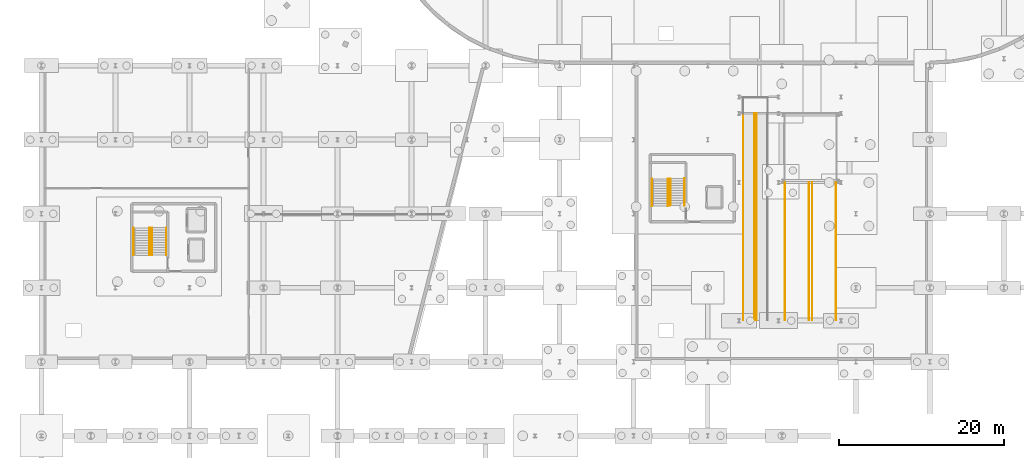
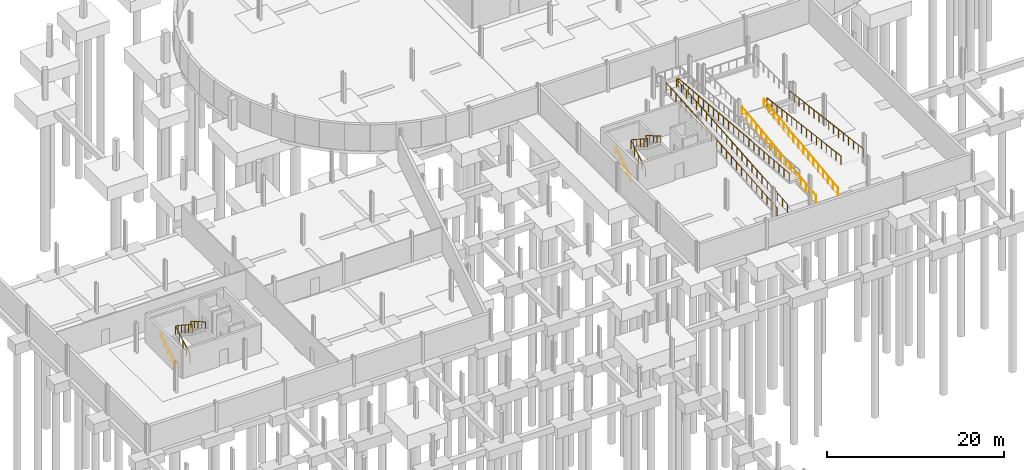
# One storey, part 40 of 42: 13 railings.
"""IFC4 building model written with IfcOpenShell, lengths in metres."""

from ifc_helpers import new_model, si_unit, direction, frame, origin, origin_2d, place, context, subcontext, project, spatial, circle, extrude, material, type_object, element, save


model = new_model("IFC4")

# Units and contexts
model_context = context("Model", 3, precision=1e-05, world=origin(), true_north=direction((0.0, 1.0)))
body_context = subcontext(model_context, "Body", "Model", "MODEL_VIEW")
ifc_project = project(units=[si_unit("LENGTHUNIT", "METRE"), si_unit("AREAUNIT", "SQUARE_METRE"), si_unit("VOLUMEUNIT", "CUBIC_METRE"), si_unit("PLANEANGLEUNIT", "RADIAN"), si_unit("MASSUNIT", "GRAM", prefix="KILO")], contexts=[model_context])

# Site, building, storey
site_placement = place(None, origin())
site = spatial("IfcSite", under=ifc_project, at=site_placement, CompositionType="ELEMENT")
building_placement = place(site_placement, origin())
building = spatial("IfcBuilding", under=site, at=building_placement, Name="Deido Ridge Mobility Hub", CompositionType="ELEMENT")
storey_placement = place(building_placement, frame((0.0, 0.0, -4.199951171875)))
storey = spatial("IfcBuildingStorey", under=building, at=storey_placement, Name="B1", CompositionType="ELEMENT", Elevation=-4.199951171875)

# Railings
ifc_material_1 = material(Name="Galvanised steel work", Category="steel")
railing_type_1 = type_object("IfcRailingType", Name="RL-GRD-EXT-1150", PredefinedType="GUARDRAIL", material=ifc_material_1)
railing_1_placement = place(storey_placement, frame((90.39990234375, 50.050048828125, 0.0)))
element("IfcRailing", 1, at=railing_1_placement, inside=storey, type_object=railing_type_1, Name="Vehicle ramp F1 guard (B1)", PredefinedType="GUARDRAIL", context=body_context, shape_type="SweptSolid", body=[
    extrude(circle(Radius=0.02392578125, at=origin_2d()), frame((0.0, 0.0, 1.1259765625), z_axis=(0.0, 0.992233313297, 0.12439072306), x_axis=(-1.0, 0.0, 0.0)), (0.0, 0.0, 1.0), 16.881103515625),
    extrude(circle(Radius=0.02099609375, at=origin_2d()), origin(), (0.0, 0.0, 1.0), 1.101806640625),
    extrude(circle(Radius=0.02099609375, at=origin_2d()), frame((0.0, 1.11669921875, 0.139892578125)), (0.0, 0.0, 1.0), 1.101806640625),
    extrude(circle(Radius=0.02099609375, at=origin_2d()), frame((0.0, 2.2333984375, 0.280029296875)), (0.0, 0.0, 1.0), 1.101806640625),
    extrude(circle(Radius=0.02099609375, at=origin_2d()), frame((0.0, 3.35009765625, 0.419921875)), (0.0, 0.0, 1.0), 1.101806640625),
    extrude(circle(Radius=0.02099609375, at=origin_2d()), frame((0.0, 4.466552734375, 0.56005859375)), (0.0, 0.0, 1.0), 1.101806640625),
    extrude(circle(Radius=0.02099609375, at=origin_2d()), frame((0.0, 5.583251953125, 0.699951171875)), (0.0, 0.0, 1.0), 1.101806640625),
    extrude(circle(Radius=0.02099609375, at=origin_2d()), frame((0.0, 6.699951171875, 0.83984375)), (0.0, 0.0, 1.0), 1.101806640625),
    extrude(circle(Radius=0.02099609375, at=origin_2d()), frame((0.0, 7.816650390625, 0.97998046875)), (0.0, 0.0, 1.0), 1.101806640625),
    extrude(circle(Radius=0.02099609375, at=origin_2d()), frame((0.0, 8.933349609375, 1.119873046875)), (0.0, 0.0, 1.0), 1.101806640625),
    extrude(circle(Radius=0.02099609375, at=origin_2d()), frame((0.0, 10.050048828125, 1.260009765625)), (0.0, 0.0, 1.0), 1.101806640625),
    extrude(circle(Radius=0.02099609375, at=origin_2d()), frame((0.0, 11.166748046875, 1.39990234375)), (0.0, 0.0, 1.0), 1.101806640625),
    extrude(circle(Radius=0.02099609375, at=origin_2d()), frame((0.0, 12.283447265625, 1.539794921875)), (0.0, 0.0, 1.0), 1.101806640625),
    extrude(circle(Radius=0.02099609375, at=origin_2d()), frame((0.0, 13.39990234375, 1.679931640625)), (0.0, 0.0, 1.0), 1.101806640625),
    extrude(circle(Radius=0.02099609375, at=origin_2d()), frame((0.0, 14.5166015625, 1.81982421875)), (0.0, 0.0, 1.0), 1.101806640625),
    extrude(circle(Radius=0.02099609375, at=origin_2d()), frame((0.0, 15.63330078125, 1.9599609375)), (0.0, 0.0, 1.0), 1.101806640625),
    extrude(circle(Radius=0.02099609375, at=origin_2d()), frame((0.0, 16.75, 2.099853515625)), (0.0, 0.0, 1.0), 1.101806640625),
])
railing_2_placement = place(storey_placement, frame((93.300048828125, 50.050048828125, 0.0)))
element("IfcRailing", 2, at=railing_2_placement, inside=storey, type_object=railing_type_1, Name="Vehicle ramp F1 guard (B1)", PredefinedType="GUARDRAIL", context=body_context, shape_type="SweptSolid", body=[
    extrude(circle(Radius=0.02392578125, at=origin_2d()), frame((0.0, 0.0, 1.1259765625), z_axis=(0.0, 0.992233313297, 0.12439072306), x_axis=(-1.0, 0.0, 0.0)), (0.0, 0.0, 1.0), 16.881103515625),
    extrude(circle(Radius=0.02099609375, at=origin_2d()), origin(), (0.0, 0.0, 1.0), 1.101806640625),
    extrude(circle(Radius=0.02099609375, at=origin_2d()), frame((0.0, 1.11669921875, 0.139892578125)), (0.0, 0.0, 1.0), 1.101806640625),
    extrude(circle(Radius=0.02099609375, at=origin_2d()), frame((0.0, 2.2333984375, 0.280029296875)), (0.0, 0.0, 1.0), 1.101806640625),
    extrude(circle(Radius=0.02099609375, at=origin_2d()), frame((0.0, 3.35009765625, 0.419921875)), (0.0, 0.0, 1.0), 1.101806640625),
    extrude(circle(Radius=0.02099609375, at=origin_2d()), frame((0.0, 4.466552734375, 0.56005859375)), (0.0, 0.0, 1.0), 1.101806640625),
    extrude(circle(Radius=0.02099609375, at=origin_2d()), frame((0.0, 5.583251953125, 0.699951171875)), (0.0, 0.0, 1.0), 1.101806640625),
    extrude(circle(Radius=0.02099609375, at=origin_2d()), frame((0.0, 6.699951171875, 0.83984375)), (0.0, 0.0, 1.0), 1.101806640625),
    extrude(circle(Radius=0.02099609375, at=origin_2d()), frame((0.0, 7.816650390625, 0.97998046875)), (0.0, 0.0, 1.0), 1.101806640625),
    extrude(circle(Radius=0.02099609375, at=origin_2d()), frame((0.0, 8.933349609375, 1.119873046875)), (0.0, 0.0, 1.0), 1.101806640625),
    extrude(circle(Radius=0.02099609375, at=origin_2d()), frame((0.0, 10.050048828125, 1.260009765625)), (0.0, 0.0, 1.0), 1.101806640625),
    extrude(circle(Radius=0.02099609375, at=origin_2d()), frame((0.0, 11.166748046875, 1.39990234375)), (0.0, 0.0, 1.0), 1.101806640625),
    extrude(circle(Radius=0.02099609375, at=origin_2d()), frame((0.0, 12.283447265625, 1.539794921875)), (0.0, 0.0, 1.0), 1.101806640625),
    extrude(circle(Radius=0.02099609375, at=origin_2d()), frame((0.0, 13.39990234375, 1.679931640625)), (0.0, 0.0, 1.0), 1.101806640625),
    extrude(circle(Radius=0.02099609375, at=origin_2d()), frame((0.0, 14.5166015625, 1.81982421875)), (0.0, 0.0, 1.0), 1.101806640625),
    extrude(circle(Radius=0.02099609375, at=origin_2d()), frame((0.0, 15.63330078125, 1.9599609375)), (0.0, 0.0, 1.0), 1.101806640625),
    extrude(circle(Radius=0.02099609375, at=origin_2d()), frame((0.0, 16.75, 2.099853515625)), (0.0, 0.0, 1.0), 1.101806640625),
])
railing_3_placement = place(storey_placement, frame((93.699951171875, 66.800048828125, 2.099853515625)))
element("IfcRailing", 3, at=railing_3_placement, inside=storey, type_object=railing_type_1, Name="Vehicle ramp F2 guard (B1)", PredefinedType="GUARDRAIL", context=body_context, shape_type="SweptSolid", body=[
    extrude(circle(Radius=0.02392578125, at=origin_2d()), frame((0.0, 0.0, 1.1259765625), z_axis=(0.0, -0.992231528187, 0.1244049616), x_axis=(1.0, 0.0, 0.0)), (0.0, 0.0, 1.0), 16.881103515625),
    extrude(circle(Radius=0.02099609375, at=origin_2d()), origin(), (0.0, 0.0, 1.0), 1.101806640625),
    extrude(circle(Radius=0.02099609375, at=origin_2d()), frame((0.0, -1.11669921875, 0.139892578125)), (0.0, 0.0, 1.0), 1.101806640625),
    extrude(circle(Radius=0.02099609375, at=origin_2d()), frame((0.0, -2.2333984375, 0.280029296875)), (0.0, 0.0, 1.0), 1.101806640625),
    extrude(circle(Radius=0.02099609375, at=origin_2d()), frame((0.0, -3.35009765625, 0.419921875)), (0.0, 0.0, 1.0), 1.101806640625),
    extrude(circle(Radius=0.02099609375, at=origin_2d()), frame((0.0, -4.466552734375, 0.56005859375)), (0.0, 0.0, 1.0), 1.101806640625),
    extrude(circle(Radius=0.02099609375, at=origin_2d()), frame((0.0, -5.583251953125, 0.699951171875)), (0.0, 0.0, 1.0), 1.101806640625),
    extrude(circle(Radius=0.02099609375, at=origin_2d()), frame((0.0, -6.699951171875, 0.840087890625)), (0.0, 0.0, 1.0), 1.101806640625),
    extrude(circle(Radius=0.02099609375, at=origin_2d()), frame((0.0, -7.816650390625, 0.97998046875)), (0.0, 0.0, 1.0), 1.101806640625),
    extrude(circle(Radius=0.02099609375, at=origin_2d()), frame((0.0, -8.933349609375, 1.1201171875)), (0.0, 0.0, 1.0), 1.101806640625),
    extrude(circle(Radius=0.02099609375, at=origin_2d()), frame((0.0, -10.050048828125, 1.260009765625)), (0.0, 0.0, 1.0), 1.101806640625),
    extrude(circle(Radius=0.02099609375, at=origin_2d()), frame((0.0, -11.166748046875, 1.400146484375)), (0.0, 0.0, 1.0), 1.101806640625),
    extrude(circle(Radius=0.02099609375, at=origin_2d()), frame((0.0, -12.283447265625, 1.5400390625)), (0.0, 0.0, 1.0), 1.101806640625),
    extrude(circle(Radius=0.02099609375, at=origin_2d()), frame((0.0, -13.39990234375, 1.68017578125)), (0.0, 0.0, 1.0), 1.101806640625),
    extrude(circle(Radius=0.02099609375, at=origin_2d()), frame((0.0, -14.5166015625, 1.820068359375)), (0.0, 0.0, 1.0), 1.101806640625),
    extrude(circle(Radius=0.02099609375, at=origin_2d()), frame((0.0, -15.63330078125, 1.960205078125)), (0.0, 0.0, 1.0), 1.101806640625),
    extrude(circle(Radius=0.02099609375, at=origin_2d()), frame((0.0, -16.75, 2.10009765625)), (0.0, 0.0, 1.0), 1.101806640625),
])
railing_4_placement = place(storey_placement, frame((96.60009765625, 66.800048828125, 2.099853515625)))
element("IfcRailing", 4, at=railing_4_placement, inside=storey, type_object=railing_type_1, Name="Vehicle ramp F2 guard (B1)", PredefinedType="GUARDRAIL", context=body_context, shape_type="SweptSolid", body=[
    extrude(circle(Radius=0.02392578125, at=origin_2d()), frame((0.0, 0.0, 1.1259765625), z_axis=(0.0, -0.992231528187, 0.1244049616), x_axis=(1.0, 0.0, 0.0)), (0.0, 0.0, 1.0), 16.881103515625),
    extrude(circle(Radius=0.02099609375, at=origin_2d()), origin(), (0.0, 0.0, 1.0), 1.101806640625),
    extrude(circle(Radius=0.02099609375, at=origin_2d()), frame((0.0, -1.11669921875, 0.139892578125)), (0.0, 0.0, 1.0), 1.101806640625),
    extrude(circle(Radius=0.02099609375, at=origin_2d()), frame((0.0, -2.2333984375, 0.280029296875)), (0.0, 0.0, 1.0), 1.101806640625),
    extrude(circle(Radius=0.02099609375, at=origin_2d()), frame((0.0, -3.35009765625, 0.419921875)), (0.0, 0.0, 1.0), 1.101806640625),
    extrude(circle(Radius=0.02099609375, at=origin_2d()), frame((0.0, -4.466552734375, 0.56005859375)), (0.0, 0.0, 1.0), 1.101806640625),
    extrude(circle(Radius=0.02099609375, at=origin_2d()), frame((0.0, -5.583251953125, 0.699951171875)), (0.0, 0.0, 1.0), 1.101806640625),
    extrude(circle(Radius=0.02099609375, at=origin_2d()), frame((0.0, -6.699951171875, 0.840087890625)), (0.0, 0.0, 1.0), 1.101806640625),
    extrude(circle(Radius=0.02099609375, at=origin_2d()), frame((0.0, -7.816650390625, 0.97998046875)), (0.0, 0.0, 1.0), 1.101806640625),
    extrude(circle(Radius=0.02099609375, at=origin_2d()), frame((0.0, -8.933349609375, 1.1201171875)), (0.0, 0.0, 1.0), 1.101806640625),
    extrude(circle(Radius=0.02099609375, at=origin_2d()), frame((0.0, -10.050048828125, 1.260009765625)), (0.0, 0.0, 1.0), 1.101806640625),
    extrude(circle(Radius=0.02099609375, at=origin_2d()), frame((0.0, -11.166748046875, 1.400146484375)), (0.0, 0.0, 1.0), 1.101806640625),
    extrude(circle(Radius=0.02099609375, at=origin_2d()), frame((0.0, -12.283447265625, 1.5400390625)), (0.0, 0.0, 1.0), 1.101806640625),
    extrude(circle(Radius=0.02099609375, at=origin_2d()), frame((0.0, -13.39990234375, 1.68017578125)), (0.0, 0.0, 1.0), 1.101806640625),
    extrude(circle(Radius=0.02099609375, at=origin_2d()), frame((0.0, -14.5166015625, 1.820068359375)), (0.0, 0.0, 1.0), 1.101806640625),
    extrude(circle(Radius=0.02099609375, at=origin_2d()), frame((0.0, -15.63330078125, 1.960205078125)), (0.0, 0.0, 1.0), 1.101806640625),
    extrude(circle(Radius=0.02099609375, at=origin_2d()), frame((0.0, -16.75, 2.10009765625)), (0.0, 0.0, 1.0), 1.101806640625),
])
railing_5_placement = place(storey_placement, frame((85.320068359375, 50.050048828125, 0.0)))
element("IfcRailing", 5, at=railing_5_placement, inside=storey, type_object=railing_type_1, Name="Cycle ramp F1 guard (B1)", PredefinedType="GUARDRAIL", context=body_context, shape_type="SweptSolid", body=[
    extrude(circle(Radius=0.02392578125, at=origin_2d()), frame((0.0, 0.0, 1.1259765625), z_axis=(0.0, 0.996532535954, 0.083203995008), x_axis=(-1.0, 0.0, 0.0)), (0.0, 0.0, 1.0), 25.2373046875),
    extrude(circle(Radius=0.02099609375, at=origin_2d()), origin(), (0.0, 0.0, 1.0), 1.101806640625),
    extrude(circle(Radius=0.02099609375, at=origin_2d()), frame((0.0, 1.14306640625, 0.095458984375)), (0.0, 0.0, 1.0), 1.101806640625),
    extrude(circle(Radius=0.02099609375, at=origin_2d()), frame((0.0, 2.286376953125, 0.19091796875)), (0.0, 0.0, 1.0), 1.101806640625),
    extrude(circle(Radius=0.02099609375, at=origin_2d()), frame((0.0, 3.429443359375, 0.286376953125)), (0.0, 0.0, 1.0), 1.101806640625),
    extrude(circle(Radius=0.02099609375, at=origin_2d()), frame((0.0, 4.57275390625, 0.3818359375)), (0.0, 0.0, 1.0), 1.101806640625),
    extrude(circle(Radius=0.02099609375, at=origin_2d()), frame((0.0, 5.7158203125, 0.477294921875)), (0.0, 0.0, 1.0), 1.101806640625),
    extrude(circle(Radius=0.02099609375, at=origin_2d()), frame((0.0, 6.859130859375, 0.57275390625)), (0.0, 0.0, 1.0), 1.101806640625),
    extrude(circle(Radius=0.02099609375, at=origin_2d()), frame((0.0, 8.002197265625, 0.668212890625)), (0.0, 0.0, 1.0), 1.101806640625),
    extrude(circle(Radius=0.02099609375, at=origin_2d()), frame((0.0, 9.1455078125, 0.763671875)), (0.0, 0.0, 1.0), 1.101806640625),
    extrude(circle(Radius=0.02099609375, at=origin_2d()), frame((0.0, 10.28857421875, 0.859130859375)), (0.0, 0.0, 1.0), 1.101806640625),
    extrude(circle(Radius=0.02099609375, at=origin_2d()), frame((0.0, 11.431884765625, 0.95458984375)), (0.0, 0.0, 1.0), 1.101806640625),
    extrude(circle(Radius=0.02099609375, at=origin_2d()), frame((0.0, 12.574951171875, 1.0498046875)), (0.0, 0.0, 1.0), 1.101806640625),
    extrude(circle(Radius=0.02099609375, at=origin_2d()), frame((0.0, 13.718017578125, 1.145263671875)), (0.0, 0.0, 1.0), 1.101806640625),
    extrude(circle(Radius=0.02099609375, at=origin_2d()), frame((0.0, 14.861328125, 1.24072265625)), (0.0, 0.0, 1.0), 1.101806640625),
    extrude(circle(Radius=0.02099609375, at=origin_2d()), frame((0.0, 16.00439453125, 1.336181640625)), (0.0, 0.0, 1.0), 1.101806640625),
    extrude(circle(Radius=0.02099609375, at=origin_2d()), frame((0.0, 17.147705078125, 1.431640625)), (0.0, 0.0, 1.0), 1.101806640625),
    extrude(circle(Radius=0.02099609375, at=origin_2d()), frame((0.0, 18.290771484375, 1.527099609375)), (0.0, 0.0, 1.0), 1.101806640625),
    extrude(circle(Radius=0.02099609375, at=origin_2d()), frame((0.0, 19.43408203125, 1.62255859375)), (0.0, 0.0, 1.0), 1.101806640625),
    extrude(circle(Radius=0.02099609375, at=origin_2d()), frame((0.0, 20.5771484375, 1.718017578125)), (0.0, 0.0, 1.0), 1.101806640625),
    extrude(circle(Radius=0.02099609375, at=origin_2d()), frame((0.0, 21.720458984375, 1.8134765625)), (0.0, 0.0, 1.0), 1.101806640625),
    extrude(circle(Radius=0.02099609375, at=origin_2d()), frame((0.0, 22.863525390625, 1.908935546875)), (0.0, 0.0, 1.0), 1.101806640625),
    extrude(circle(Radius=0.02099609375, at=origin_2d()), frame((0.0, 24.0068359375, 2.00439453125)), (0.0, 0.0, 1.0), 1.101806640625),
    extrude(circle(Radius=0.02099609375, at=origin_2d()), frame((0.0, 25.14990234375, 2.099853515625)), (0.0, 0.0, 1.0), 1.101806640625),
])
railing_6_placement = place(storey_placement, frame((86.679931640625, 50.050048828125, 0.0)))
element("IfcRailing", 6, at=railing_6_placement, inside=storey, type_object=railing_type_1, Name="Cycle ramp F1 guard (B1)", PredefinedType="GUARDRAIL", context=body_context, shape_type="SweptSolid", body=[
    extrude(circle(Radius=0.02392578125, at=origin_2d()), frame((0.0, 0.0, 1.1259765625), z_axis=(0.0, 0.996532535954, 0.083203995008), x_axis=(-1.0, 0.0, 0.0)), (0.0, 0.0, 1.0), 25.2373046875),
    extrude(circle(Radius=0.02099609375, at=origin_2d()), origin(), (0.0, 0.0, 1.0), 1.101806640625),
    extrude(circle(Radius=0.02099609375, at=origin_2d()), frame((0.0, 1.14306640625, 0.095458984375)), (0.0, 0.0, 1.0), 1.101806640625),
    extrude(circle(Radius=0.02099609375, at=origin_2d()), frame((0.0, 2.286376953125, 0.19091796875)), (0.0, 0.0, 1.0), 1.101806640625),
    extrude(circle(Radius=0.02099609375, at=origin_2d()), frame((0.0, 3.429443359375, 0.286376953125)), (0.0, 0.0, 1.0), 1.101806640625),
    extrude(circle(Radius=0.02099609375, at=origin_2d()), frame((0.0, 4.57275390625, 0.3818359375)), (0.0, 0.0, 1.0), 1.101806640625),
    extrude(circle(Radius=0.02099609375, at=origin_2d()), frame((0.0, 5.7158203125, 0.477294921875)), (0.0, 0.0, 1.0), 1.101806640625),
    extrude(circle(Radius=0.02099609375, at=origin_2d()), frame((0.0, 6.859130859375, 0.57275390625)), (0.0, 0.0, 1.0), 1.101806640625),
    extrude(circle(Radius=0.02099609375, at=origin_2d()), frame((0.0, 8.002197265625, 0.668212890625)), (0.0, 0.0, 1.0), 1.101806640625),
    extrude(circle(Radius=0.02099609375, at=origin_2d()), frame((0.0, 9.1455078125, 0.763671875)), (0.0, 0.0, 1.0), 1.101806640625),
    extrude(circle(Radius=0.02099609375, at=origin_2d()), frame((0.0, 10.28857421875, 0.859130859375)), (0.0, 0.0, 1.0), 1.101806640625),
    extrude(circle(Radius=0.02099609375, at=origin_2d()), frame((0.0, 11.431884765625, 0.95458984375)), (0.0, 0.0, 1.0), 1.101806640625),
    extrude(circle(Radius=0.02099609375, at=origin_2d()), frame((0.0, 12.574951171875, 1.0498046875)), (0.0, 0.0, 1.0), 1.101806640625),
    extrude(circle(Radius=0.02099609375, at=origin_2d()), frame((0.0, 13.718017578125, 1.145263671875)), (0.0, 0.0, 1.0), 1.101806640625),
    extrude(circle(Radius=0.02099609375, at=origin_2d()), frame((0.0, 14.861328125, 1.24072265625)), (0.0, 0.0, 1.0), 1.101806640625),
    extrude(circle(Radius=0.02099609375, at=origin_2d()), frame((0.0, 16.00439453125, 1.336181640625)), (0.0, 0.0, 1.0), 1.101806640625),
    extrude(circle(Radius=0.02099609375, at=origin_2d()), frame((0.0, 17.147705078125, 1.431640625)), (0.0, 0.0, 1.0), 1.101806640625),
    extrude(circle(Radius=0.02099609375, at=origin_2d()), frame((0.0, 18.290771484375, 1.527099609375)), (0.0, 0.0, 1.0), 1.101806640625),
    extrude(circle(Radius=0.02099609375, at=origin_2d()), frame((0.0, 19.43408203125, 1.62255859375)), (0.0, 0.0, 1.0), 1.101806640625),
    extrude(circle(Radius=0.02099609375, at=origin_2d()), frame((0.0, 20.5771484375, 1.718017578125)), (0.0, 0.0, 1.0), 1.101806640625),
    extrude(circle(Radius=0.02099609375, at=origin_2d()), frame((0.0, 21.720458984375, 1.8134765625)), (0.0, 0.0, 1.0), 1.101806640625),
    extrude(circle(Radius=0.02099609375, at=origin_2d()), frame((0.0, 22.863525390625, 1.908935546875)), (0.0, 0.0, 1.0), 1.101806640625),
    extrude(circle(Radius=0.02099609375, at=origin_2d()), frame((0.0, 24.0068359375, 2.00439453125)), (0.0, 0.0, 1.0), 1.101806640625),
    extrude(circle(Radius=0.02099609375, at=origin_2d()), frame((0.0, 25.14990234375, 2.099853515625)), (0.0, 0.0, 1.0), 1.101806640625),
])
railing_7_placement = place(storey_placement, frame((86.919921875, 75.199951171875, 2.099853515625)))
element("IfcRailing", 7, at=railing_7_placement, inside=storey, type_object=railing_type_1, Name="Cycle ramp F2 guard (B1)", PredefinedType="GUARDRAIL", context=body_context, shape_type="SweptSolid", body=[
    extrude(circle(Radius=0.02392578125, at=origin_2d()), frame((0.0, 0.0, 1.1259765625), z_axis=(0.0, -0.996531733804, 0.083213601784), x_axis=(1.0, 0.0, 0.0)), (0.0, 0.0, 1.0), 25.237548828125),
    extrude(circle(Radius=0.02099609375, at=origin_2d()), origin(), (0.0, 0.0, 1.0), 1.101806640625),
    extrude(circle(Radius=0.02099609375, at=origin_2d()), frame((0.0, -1.14306640625, 0.095458984375)), (0.0, 0.0, 1.0), 1.101806640625),
    extrude(circle(Radius=0.02099609375, at=origin_2d()), frame((0.0, -2.286376953125, 0.19091796875)), (0.0, 0.0, 1.0), 1.101806640625),
    extrude(circle(Radius=0.02099609375, at=origin_2d()), frame((0.0, -3.429443359375, 0.286376953125)), (0.0, 0.0, 1.0), 1.101806640625),
    extrude(circle(Radius=0.02099609375, at=origin_2d()), frame((0.0, -4.57275390625, 0.3818359375)), (0.0, 0.0, 1.0), 1.101806640625),
    extrude(circle(Radius=0.02099609375, at=origin_2d()), frame((0.0, -5.7158203125, 0.477294921875)), (0.0, 0.0, 1.0), 1.101806640625),
    extrude(circle(Radius=0.02099609375, at=origin_2d()), frame((0.0, -6.859130859375, 0.57275390625)), (0.0, 0.0, 1.0), 1.101806640625),
    extrude(circle(Radius=0.02099609375, at=origin_2d()), frame((0.0, -8.002197265625, 0.668212890625)), (0.0, 0.0, 1.0), 1.101806640625),
    extrude(circle(Radius=0.02099609375, at=origin_2d()), frame((0.0, -9.1455078125, 0.763671875)), (0.0, 0.0, 1.0), 1.101806640625),
    extrude(circle(Radius=0.02099609375, at=origin_2d()), frame((0.0, -10.28857421875, 0.859130859375)), (0.0, 0.0, 1.0), 1.101806640625),
    extrude(circle(Radius=0.02099609375, at=origin_2d()), frame((0.0, -11.431884765625, 0.95458984375)), (0.0, 0.0, 1.0), 1.101806640625),
    extrude(circle(Radius=0.02099609375, at=origin_2d()), frame((0.0, -12.574951171875, 1.050048828125)), (0.0, 0.0, 1.0), 1.101806640625),
    extrude(circle(Radius=0.02099609375, at=origin_2d()), frame((0.0, -13.718017578125, 1.1455078125)), (0.0, 0.0, 1.0), 1.101806640625),
    extrude(circle(Radius=0.02099609375, at=origin_2d()), frame((0.0, -14.861328125, 1.240966796875)), (0.0, 0.0, 1.0), 1.101806640625),
    extrude(circle(Radius=0.02099609375, at=origin_2d()), frame((0.0, -16.00439453125, 1.33642578125)), (0.0, 0.0, 1.0), 1.101806640625),
    extrude(circle(Radius=0.02099609375, at=origin_2d()), frame((0.0, -17.147705078125, 1.431884765625)), (0.0, 0.0, 1.0), 1.101806640625),
    extrude(circle(Radius=0.02099609375, at=origin_2d()), frame((0.0, -18.290771484375, 1.52734375)), (0.0, 0.0, 1.0), 1.101806640625),
    extrude(circle(Radius=0.02099609375, at=origin_2d()), frame((0.0, -19.43408203125, 1.622802734375)), (0.0, 0.0, 1.0), 1.101806640625),
    extrude(circle(Radius=0.02099609375, at=origin_2d()), frame((0.0, -20.5771484375, 1.71826171875)), (0.0, 0.0, 1.0), 1.101806640625),
    extrude(circle(Radius=0.02099609375, at=origin_2d()), frame((0.0, -21.720458984375, 1.813720703125)), (0.0, 0.0, 1.0), 1.101806640625),
    extrude(circle(Radius=0.02099609375, at=origin_2d()), frame((0.0, -22.863525390625, 1.9091796875)), (0.0, 0.0, 1.0), 1.101806640625),
    extrude(circle(Radius=0.02099609375, at=origin_2d()), frame((0.0, -24.0068359375, 2.004638671875)), (0.0, 0.0, 1.0), 1.101806640625),
    extrude(circle(Radius=0.02099609375, at=origin_2d()), frame((0.0, -25.14990234375, 2.10009765625)), (0.0, 0.0, 1.0), 1.101806640625),
])
railing_type_2 = type_object("IfcRailingType", Name="RL-STAIR-GRD-1150", PredefinedType="GUARDRAIL", material=ifc_material_1)
railing_8_placement = place(storey_placement, frame((76.14990234375, 63.949951171875, 0.175048828125)))
element("IfcRailing", 8, at=railing_8_placement, inside=storey, type_object=railing_type_2, Name="ST4 inner well guard (B1)", PredefinedType="GUARDRAIL", context=body_context, shape_type="SweptSolid", body=[
    extrude(circle(Radius=0.02392578125, at=origin_2d()), frame((0.0, 0.0, 1.1259765625), z_axis=(0.0, 0.863804395585, 0.503827317807), x_axis=(-1.0, 0.0, 0.0)), (0.0, 0.0, 1.0), 3.8203125),
    extrude(circle(Radius=0.02392578125, at=origin_2d()), frame((0.0, 3.300048828125, 3.05078125), z_axis=(1.0, 0.0, 0.0), x_axis=(0.0, 1.0, 0.0)), (0.0, 0.0, 1.0), 0.300048828125),
    extrude(circle(Radius=0.02392578125, at=origin_2d()), frame((0.300048828125, 3.300048828125, 3.05078125), z_axis=(0.0, -0.839905164138, 0.542733189748), x_axis=(1.0, 0.0, 0.0)), (0.0, 0.0, 1.0), 3.869384765625),
    extrude(circle(Radius=0.02099609375, at=origin_2d()), origin(), (0.0, 0.0, 1.0), 1.101806640625),
    extrude(circle(Radius=0.02099609375, at=origin_2d()), frame((0.0, 0.824951171875, 0.481201171875)), (0.0, 0.0, 1.0), 1.101806640625),
    extrude(circle(Radius=0.02099609375, at=origin_2d()), frame((0.0, 1.64990234375, 0.96240234375)), (0.0, 0.0, 1.0), 1.101806640625),
    extrude(circle(Radius=0.02099609375, at=origin_2d()), frame((0.0, 2.47509765625, 1.443603515625)), (0.0, 0.0, 1.0), 1.101806640625),
    extrude(circle(Radius=0.02099609375, at=origin_2d()), frame((0.0, 3.300048828125, 1.9248046875)), (0.0, 0.0, 1.0), 1.101806640625),
    extrude(circle(Radius=0.02099609375, at=origin_2d()), frame((0.300048828125, 3.300048828125, 1.9248046875)), (0.0, 0.0, 1.0), 1.101806640625),
    extrude(circle(Radius=0.02099609375, at=origin_2d()), frame((0.300048828125, 2.487548828125, 2.44970703125)), (0.0, 0.0, 1.0), 1.101806640625),
    extrude(circle(Radius=0.02099609375, at=origin_2d()), frame((0.300048828125, 1.675048828125, 2.974853515625)), (0.0, 0.0, 1.0), 1.101806640625),
    extrude(circle(Radius=0.02099609375, at=origin_2d()), frame((0.300048828125, 0.862548828125, 3.5)), (0.0, 0.0, 1.0), 1.101806640625),
    extrude(circle(Radius=0.02099609375, at=origin_2d()), frame((0.300048828125, 0.050048828125, 4.02490234375)), (0.0, 0.0, 1.0), 1.101806640625),
])
railing_9_placement = place(storey_placement, frame((13.14990234375, 57.949951171875, 0.175048828125)))
element("IfcRailing", 9, at=railing_9_placement, inside=storey, type_object=railing_type_2, Name="ST6 inner well guard (B1)", PredefinedType="GUARDRAIL", context=body_context, shape_type="SweptSolid", body=[
    extrude(circle(Radius=0.02392578125, at=origin_2d()), frame((0.0, 0.0, 1.1259765625), z_axis=(0.0, 0.863804395585, 0.503827317807), x_axis=(-1.0, 0.0, 0.0)), (0.0, 0.0, 1.0), 3.8203125),
    extrude(circle(Radius=0.02392578125, at=origin_2d()), frame((0.0, 3.300048828125, 3.05078125), z_axis=(1.0, 0.0, 0.0), x_axis=(0.0, 1.0, 0.0)), (0.0, 0.0, 1.0), 0.300048828125),
    extrude(circle(Radius=0.02392578125, at=origin_2d()), frame((0.300048828125, 3.300048828125, 3.05078125), z_axis=(0.0, -0.839905164138, 0.542733189748), x_axis=(1.0, 0.0, 0.0)), (0.0, 0.0, 1.0), 3.869384765625),
    extrude(circle(Radius=0.02099609375, at=origin_2d()), origin(), (0.0, 0.0, 1.0), 1.101806640625),
    extrude(circle(Radius=0.02099609375, at=origin_2d()), frame((0.0, 0.824951171875, 0.481201171875)), (0.0, 0.0, 1.0), 1.101806640625),
    extrude(circle(Radius=0.02099609375, at=origin_2d()), frame((0.0, 1.64990234375, 0.96240234375)), (0.0, 0.0, 1.0), 1.101806640625),
    extrude(circle(Radius=0.02099609375, at=origin_2d()), frame((0.0, 2.47509765625, 1.443603515625)), (0.0, 0.0, 1.0), 1.101806640625),
    extrude(circle(Radius=0.02099609375, at=origin_2d()), frame((0.0, 3.300048828125, 1.9248046875)), (0.0, 0.0, 1.0), 1.101806640625),
    extrude(circle(Radius=0.02099609375, at=origin_2d()), frame((0.300048828125, 3.300048828125, 1.9248046875)), (0.0, 0.0, 1.0), 1.101806640625),
    extrude(circle(Radius=0.02099609375, at=origin_2d()), frame((0.300048828125, 2.487548828125, 2.44970703125)), (0.0, 0.0, 1.0), 1.101806640625),
    extrude(circle(Radius=0.02099609375, at=origin_2d()), frame((0.300048828125, 1.675048828125, 2.974853515625)), (0.0, 0.0, 1.0), 1.101806640625),
    extrude(circle(Radius=0.02099609375, at=origin_2d()), frame((0.300048828125, 0.862548828125, 3.5)), (0.0, 0.0, 1.0), 1.101806640625),
    extrude(circle(Radius=0.02099609375, at=origin_2d()), frame((0.300048828125, 0.050048828125, 4.02490234375)), (0.0, 0.0, 1.0), 1.101806640625),
])
ifc_material_2 = material(Name="Stainless steel 316", Category="steel")
railing_type_3 = type_object("IfcRailingType", Name="RL-STAIR-HND-900", PredefinedType="HANDRAIL", material=ifc_material_2)
railing_10_placement = place(storey_placement, frame((74.2099609375, 63.949951171875, 0.175048828125)))
element("IfcRailing", 10, at=railing_10_placement, inside=storey, type_object=railing_type_3, Name="ST4 flight 1 handrail (B1)", PredefinedType="HANDRAIL", context=body_context, shape_type="SweptSolid", body=[
    extrude(circle(Radius=0.02392578125, at=origin_2d()), frame((0.0, 0.0, 0.8759765625), z_axis=(0.0, 0.863804395585, 0.503827317807), x_axis=(-1.0, 0.0, 0.0)), (0.0, 0.0, 1.0), 3.8203125),
    extrude(circle(Radius=0.02099609375, at=origin_2d()), origin(), (0.0, 0.0, 1.0), 0.851806640625),
    extrude(circle(Radius=0.02099609375, at=origin_2d()), frame((0.0, 0.824951171875, 0.481201171875)), (0.0, 0.0, 1.0), 0.851806640625),
    extrude(circle(Radius=0.02099609375, at=origin_2d()), frame((0.0, 1.64990234375, 0.96240234375)), (0.0, 0.0, 1.0), 0.851806640625),
    extrude(circle(Radius=0.02099609375, at=origin_2d()), frame((0.0, 2.47509765625, 1.443603515625)), (0.0, 0.0, 1.0), 0.851806640625),
    extrude(circle(Radius=0.02099609375, at=origin_2d()), frame((0.0, 3.300048828125, 1.9248046875)), (0.0, 0.0, 1.0), 0.851806640625),
])
railing_11_placement = place(storey_placement, frame((78.175048828125, 67.300048828125, 2.27490234375)))
element("IfcRailing", 11, at=railing_11_placement, inside=storey, type_object=railing_type_3, Name="ST4 flight 2 handrail (B1)", PredefinedType="HANDRAIL", context=body_context, shape_type="SweptSolid", body=[
    extrude(circle(Radius=0.02392578125, at=origin_2d()), frame((0.0, 0.0, 0.8759765625), z_axis=(0.0, -0.863776583165, 0.503874998761), x_axis=(1.0, 0.0, 0.0)), (0.0, 0.0, 1.0), 3.820556640625),
    extrude(circle(Radius=0.02099609375, at=origin_2d()), origin(), (0.0, 0.0, 1.0), 0.851806640625),
    extrude(circle(Radius=0.02099609375, at=origin_2d()), frame((0.0, -0.824951171875, 0.481201171875)), (0.0, 0.0, 1.0), 0.851806640625),
    extrude(circle(Radius=0.02099609375, at=origin_2d()), frame((0.0, -1.64990234375, 0.96240234375)), (0.0, 0.0, 1.0), 0.851806640625),
    extrude(circle(Radius=0.02099609375, at=origin_2d()), frame((0.0, -2.47509765625, 1.44384765625)), (0.0, 0.0, 1.0), 0.851806640625),
    extrude(circle(Radius=0.02099609375, at=origin_2d()), frame((0.0, -3.300048828125, 1.925048828125)), (0.0, 0.0, 1.0), 0.851806640625),
])
railing_12_placement = place(storey_placement, frame((11.2099609375, 57.949951171875, 0.175048828125)))
element("IfcRailing", 12, at=railing_12_placement, inside=storey, type_object=railing_type_3, Name="ST6 flight 1 handrail (B1)", PredefinedType="HANDRAIL", context=body_context, shape_type="SweptSolid", body=[
    extrude(circle(Radius=0.02392578125, at=origin_2d()), frame((0.0, 0.0, 0.8759765625), z_axis=(0.0, 0.863804395585, 0.503827317807), x_axis=(-1.0, 0.0, 0.0)), (0.0, 0.0, 1.0), 3.8203125),
    extrude(circle(Radius=0.02099609375, at=origin_2d()), origin(), (0.0, 0.0, 1.0), 0.851806640625),
    extrude(circle(Radius=0.02099609375, at=origin_2d()), frame((0.0, 0.824951171875, 0.481201171875)), (0.0, 0.0, 1.0), 0.851806640625),
    extrude(circle(Radius=0.02099609375, at=origin_2d()), frame((0.0, 1.64990234375, 0.96240234375)), (0.0, 0.0, 1.0), 0.851806640625),
    extrude(circle(Radius=0.02099609375, at=origin_2d()), frame((0.0, 2.47509765625, 1.443603515625)), (0.0, 0.0, 1.0), 0.851806640625),
    extrude(circle(Radius=0.02099609375, at=origin_2d()), frame((0.0, 3.300048828125, 1.9248046875)), (0.0, 0.0, 1.0), 0.851806640625),
])
railing_13_placement = place(storey_placement, frame((15.175048828125, 61.300048828125, 2.27490234375)))
element("IfcRailing", 13, at=railing_13_placement, inside=storey, type_object=railing_type_3, Name="ST6 flight 2 handrail (B1)", PredefinedType="HANDRAIL", context=body_context, shape_type="SweptSolid", body=[
    extrude(circle(Radius=0.02392578125, at=origin_2d()), frame((0.0, 0.0, 0.8759765625), z_axis=(0.0, -0.863776583165, 0.503874998761), x_axis=(1.0, 0.0, 0.0)), (0.0, 0.0, 1.0), 3.820556640625),
    extrude(circle(Radius=0.02099609375, at=origin_2d()), origin(), (0.0, 0.0, 1.0), 0.851806640625),
    extrude(circle(Radius=0.02099609375, at=origin_2d()), frame((0.0, -0.824951171875, 0.481201171875)), (0.0, 0.0, 1.0), 0.851806640625),
    extrude(circle(Radius=0.02099609375, at=origin_2d()), frame((0.0, -1.64990234375, 0.96240234375)), (0.0, 0.0, 1.0), 0.851806640625),
    extrude(circle(Radius=0.02099609375, at=origin_2d()), frame((0.0, -2.47509765625, 1.44384765625)), (0.0, 0.0, 1.0), 0.851806640625),
    extrude(circle(Radius=0.02099609375, at=origin_2d()), frame((0.0, -3.300048828125, 1.925048828125)), (0.0, 0.0, 1.0), 0.851806640625),
])

save(model, "model.ifc")
